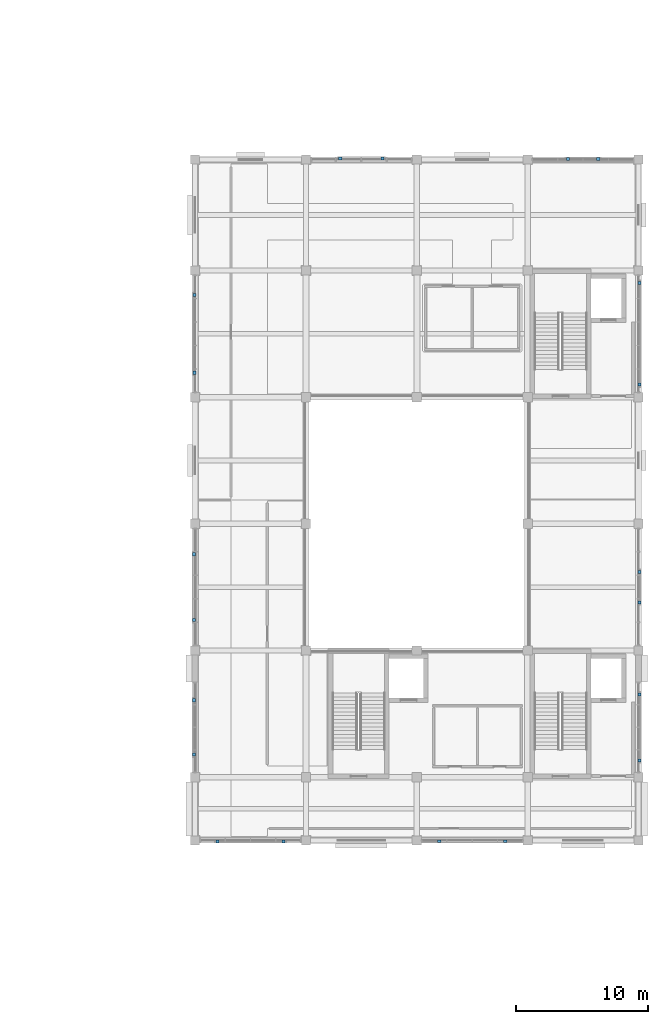
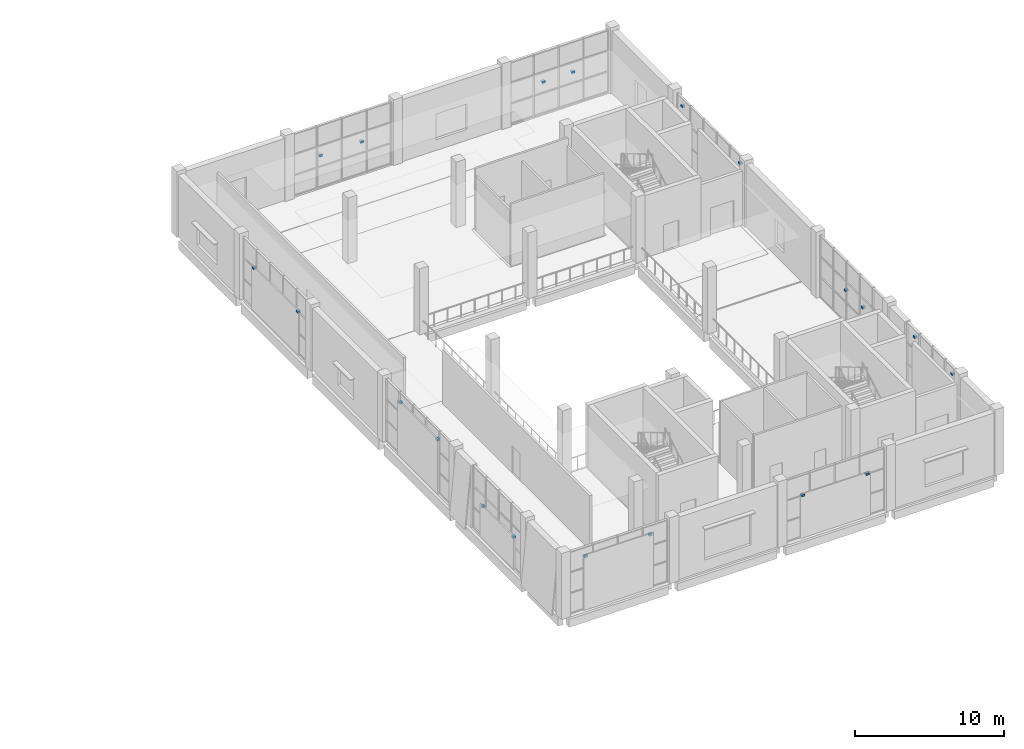
# One storey, part 57 of 72: 20 discrete accessories.
"""IFC4 building model written with IfcOpenShell, lengths in metres."""

from ifc_helpers import new_model, si_unit, direction, frame, origin, origin_2d, place, context, subcontext, project, spatial, rectangle, extrude, material, type_object, element, save


model = new_model("IFC4")

# Units and contexts
model_context = context("Model", 3, precision=1e-05, world=origin(), true_north=direction((0.0, 1.0)))
body_context = subcontext(model_context, "Body", "Model", "MODEL_VIEW")
ifc_project = project(units=[si_unit("LENGTHUNIT", "METRE"), si_unit("AREAUNIT", "SQUARE_METRE"), si_unit("VOLUMEUNIT", "CUBIC_METRE"), si_unit("PLANEANGLEUNIT", "RADIAN"), si_unit("MASSUNIT", "GRAM", prefix="KILO")], contexts=[model_context])

# Site, building, storey
site_placement = place(None, origin())
site = spatial("IfcSite", under=ifc_project, at=site_placement, CompositionType="ELEMENT")
building_placement = place(site_placement, origin())
building = spatial("IfcBuilding", under=site, at=building_placement, Name="Shalvenor Court Art Gallery", CompositionType="ELEMENT")
storey_placement = place(building_placement, frame((0.0, 0.0, 11.39990234375)))
storey = spatial("IfcBuildingStorey", under=building, at=storey_placement, Name="L02", CompositionType="ELEMENT", Elevation=11.39990234375)

# Discrete accessories
ifc_material = material(Name="Stainless steel anchor bracket", Category="steel")
discrete_accessory_type = type_object("IfcDiscreteAccessoryType", Name="BRK-01", PredefinedType="BRACKET", material=ifc_material)
for number, where, z_axis, x_axis, name in (
    (1, (153.800048828125, 97.276611328125, 2.47021484375), (0.0, 0.0, 1.0), (1.0, 0.0, 0.0), "L02 Lattice Anchor Bracket 19"),
    (2, (157.0, 97.276611328125, 2.47021484375), (0.0, 0.0, 1.0), (1.0, 0.0, 0.0), "L02 Lattice Anchor Bracket 20"),
    (3, (171.050048828125, 97.25537109375, 2.47021484375), (0.0, 0.0, 1.0), (1.0, 0.0, 0.0), "L02 Lattice Anchor Bracket 21"),
    (4, (173.35009765625, 97.25537109375, 2.47021484375), (0.0, 0.0, 1.0), (1.0, 0.0, 0.0), "L02 Lattice Anchor Bracket 22"),
    (5, (176.4677734375, 87.85009765625, 4.27001953125), (0.0, 0.0, 1.0), (0.0, -1.0, 0.0), "L02 Lattice Anchor Bracket 23"),
    (6, (176.4677734375, 80.14990234375, 4.27001953125), (0.0, 0.0, 1.0), (0.0, -1.0, 0.0), "L02 Lattice Anchor Bracket 24"),
    (7, (176.47021484375, 65.949951171875, 2.47021484375), (0.0, 0.0, 1.0), (0.0, -1.0, 0.0), "L02 Lattice Anchor Bracket 25"),
    (8, (176.47021484375, 63.64990234375, 2.47021484375), (0.0, 0.0, 1.0), (0.0, -1.0, 0.0), "L02 Lattice Anchor Bracket 26"),
    (9, (176.4765625, 56.675048828125, 4.27001953125), (0.0, 0.0, 1.0), (0.0, -1.0, 0.0), "L02 Lattice Anchor Bracket 27"),
    (10, (176.4765625, 51.675048828125, 4.27001953125), (0.0, 0.0, 1.0), (0.0, -1.0, 0.0), "L02 Lattice Anchor Bracket 28"),
    (11, (166.300048828125, 45.54345703125, 3.3701171875), (0.0, 0.0, 1.0), (-1.0, 0.0, 0.0), "L02 Lattice Anchor Bracket 29"),
    (12, (161.300048828125, 45.54345703125, 3.3701171875), (0.0, 0.0, 1.0), (-1.0, 0.0, 0.0), "L02 Lattice Anchor Bracket 30"),
    (13, (149.5, 45.533447265625, 4.27001953125), (0.0, 0.0, 1.0), (-1.0, 0.0, 0.0), "L02 Lattice Anchor Bracket 31"),
    (14, (144.5, 45.533447265625, 4.27001953125), (0.0, 0.0, 1.0), (-1.0, 0.0, 0.0), "L02 Lattice Anchor Bracket 32"),
    (15, (142.728515625, 52.125, 2.47021484375), (0.0, 0.0, 1.0), (0.0, 1.0, 0.0), "L02 Lattice Anchor Bracket 33"),
    (16, (142.728515625, 56.22509765625, 2.47021484375), (0.0, 0.0, 1.0), (0.0, 1.0, 0.0), "L02 Lattice Anchor Bracket 34"),
    (17, (142.723388671875, 62.300048828125, 4.27001953125), (0.0, 0.0, 1.0), (0.0, 1.0, 0.0), "L02 Lattice Anchor Bracket 35"),
    (18, (142.723388671875, 67.300048828125, 4.27001953125), (0.0, 0.0, 1.0), (0.0, 1.0, 0.0), "L02 Lattice Anchor Bracket 36"),
    (19, (142.743408203125, 81.050048828125, 3.3701171875), (0.0, 0.0, 1.0), (0.0, 1.0, 0.0), "L02 Lattice Anchor Bracket 37"),
    (20, (142.743408203125, 86.949951171875, 3.3701171875), (0.0, 0.0, 1.0), (0.0, 1.0, 0.0), "L02 Lattice Anchor Bracket 38"),
):
    element("IfcDiscreteAccessory", number, at=place(storey_placement, frame(where, z_axis=z_axis, x_axis=x_axis)), inside=storey, type_object=discrete_accessory_type, Name=name, PredefinedType="BRACKET", context=body_context, shape_type="SweptSolid", body=[
        extrude(rectangle(XDim=0.239990234375, YDim=0.219970703125, at=origin_2d()), origin(), (0.0, 0.0, 1.0), 0.159912109375),
    ])

save(model, "model.ifc")
